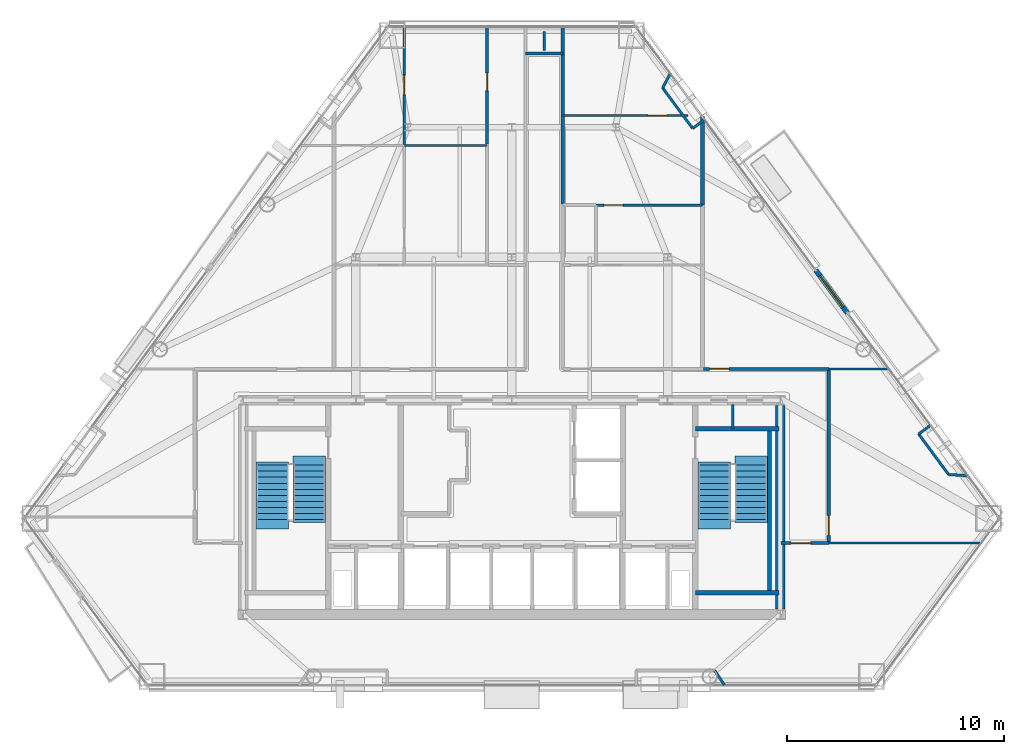
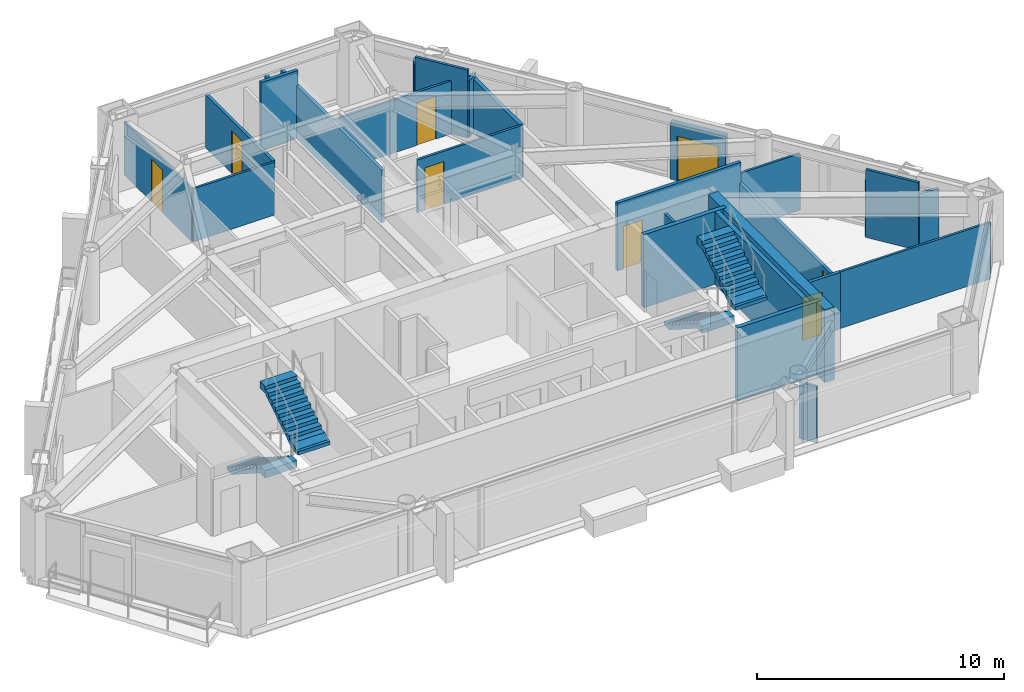
# One storey, part 9 of 11: 27 walls, 8 doors, 4 stair flights, 8 openings, 2 elements without a shape of their own.
"""IFC4 building model written with IfcOpenShell, lengths in metres."""

from ifc_helpers import new_model, si_unit, direction, frame, frame_2d, origin, place, context, subcontext, project, spatial, polyline, rectangle, outline, extrude, material, layer, layer_set, type_object, element, fill, aggregate, save


model = new_model("IFC4")

# Units and contexts
model_context = context("Model", 3, precision=1e-05, world=origin(), true_north=direction((0.0, 1.0)))
body_context = subcontext(model_context, "Body", "Model", "MODEL_VIEW")
ifc_project = project(units=[si_unit("LENGTHUNIT", "METRE"), si_unit("AREAUNIT", "SQUARE_METRE"), si_unit("VOLUMEUNIT", "CUBIC_METRE"), si_unit("PLANEANGLEUNIT", "RADIAN"), si_unit("MASSUNIT", "GRAM", prefix="KILO")], contexts=[model_context])

# Site, building, storey
site_placement = place(None, origin())
site = spatial("IfcSite", under=ifc_project, at=site_placement, CompositionType="ELEMENT")
building_placement = place(site_placement, origin())
building = spatial("IfcBuilding", under=site, at=building_placement, Name="Talgorran Terracotta Tower", CompositionType="ELEMENT")
storey_placement = place(building_placement, frame((0.0, 0.0, 122.10009765625)))
storey = spatial("IfcBuildingStorey", under=building, at=storey_placement, Name="L31", CompositionType="ELEMENT", Elevation=122.10009765625)

# Wall, opening, door
ifc_material_1 = material(Name="Concrete C40/50", Category="concrete")
ifc_layer_1 = layer(ifc_material_1, 0.239990234375, Name="WT_BALCONY_SPAND")
ifc_layer_set_1 = layer_set([ifc_layer_1], Name="Concrete C40/50")
wall_type_1 = type_object("IfcWallType", Name="WT_BALCONY_SPAND", PredefinedType="STANDARD", material=ifc_layer_set_1)
wall_1_placement = place(storey_placement, frame((15.492919921875, -0.166259765625, -0.01513671875), z_axis=(0.0, 0.0, 1.0), x_axis=(-0.594655490218, 0.803980626603, 0.0)))
wall_1 = element("IfcWall", 1, at=wall_1_placement, inside=storey, type_object=wall_type_1, Name="WL-L31-BALP-BAL-NE", PredefinedType="STANDARD", context=body_context, shape_type="SweptSolid", body=[
    extrude(rectangle(XDim=2.43994140625, YDim=0.239990234375, at=frame_2d((1.219970703125, 0.0))), origin(), (0.0, 0.0, 1.0), 2.80712890625),
])
opening_1_placement = place(wall_1_placement, frame((0.320068359375, 0.0, 0.014892578125)))
opening_1 = element("IfcOpeningElement", 2, at=opening_1_placement, cuts=wall_1, Name="Opening D-BAL-L31-1", PredefinedType="OPENING", context=body_context, shape_type="SweptSolid", body=[
    extrude(rectangle(XDim=1.806048828125, YDim=2.203951171875, at=frame_2d((0.89990234375, 1.10205078125))), frame((0.0, 0.1298828125, 0.0), z_axis=(0.0, -1.0, 0.0), x_axis=(1.0, 0.0, 0.0)), (0.0, 0.0, 1.0), 0.260009765625),
])
ifc_material_2 = material(Name="Thermally Broken Aluminium", Category="aluminium")
door_type_1 = type_object("IfcDoorType", Name="DT_BALC_1800", OperationType="SLIDING_TO_LEFT", PredefinedType="DOOR", material=ifc_material_2)
door_1_placement = place(opening_1_placement, origin())
door_1 = element("IfcDoor", 3, at=door_1_placement, inside=storey, type_object=door_type_1, Name="DR-L31-BAL-BAL-NE", OperationType="SLIDING_TO_LEFT", OverallHeight=2.199951171875, OverallWidth=1.800048828125, PredefinedType="DOOR", context=body_context, shape_type="SweptSolid", body=[
    extrude(rectangle(XDim=1.800048828125, YDim=2.199951171875, at=frame_2d((0.89990234375, 1.10009765625))), frame((0.0, 0.02490234375, 0.0), z_axis=(0.0, -1.0, 0.0), x_axis=(1.0, 0.0, 0.0)), (0.0, 0.0, 1.0), 0.050048828125),
])
fill(opening_1, door_1)

# Walls
ifc_material_3 = material(Name="Concrete C50/60", Category="concrete")
ifc_layer_2 = layer(ifc_material_3, 0.199951171875, Name="WT_CORE_200")
ifc_layer_set_2 = layer_set([ifc_layer_2], Name="Concrete C50/60")
wall_type_2 = type_object("IfcWallType", Name="WT_CORE_200", PredefinedType="SOLIDWALL", material=ifc_layer_set_2)
for number, where, z_axis, x_axis, name in (
    (4, (8.47998046875, -5.52001953125, 0.0), (0.0, 0.0, 1.0), (1.0, 0.0, 0.0), "WL-L31-CW-ST2-N"),
    (5, (8.47998046875, -13.10009765625, 0.0), (0.0, 0.0, 1.0), (1.0, 0.0, 0.0), "WL-L31-CW-ST2-S"),
):
    element("IfcWall", number, at=place(storey_placement, frame(where, z_axis=z_axis, x_axis=x_axis)), inside=storey, type_object=wall_type_2, Name=name, PredefinedType="SOLIDWALL", context=body_context, shape_type="SweptSolid", body=[
        extrude(rectangle(XDim=3.8701171875, YDim=0.199951171875, at=frame_2d((1.93505859375, 0.0))), origin(), (0.0, 0.0, 1.0), 3.599853515625),
    ])
wall_2_placement = place(storey_placement, frame((11.89990234375, -13.10009765625, 0.0), z_axis=(0.0, 0.0, 1.0), x_axis=(0.0, 1.0, 0.0)))
element("IfcWall", 6, at=wall_2_placement, inside=storey, type_object=wall_type_2, Name="WL-L31-CW-ST2-E", PredefinedType="SOLIDWALL", context=body_context, shape_type="SweptSolid", body=[
    extrude(rectangle(XDim=7.580078125, YDim=0.199951171875, at=frame_2d((3.7900390625, 0.0))), origin(), (0.0, 0.0, 1.0), 3.599853515625),
])
ifc_material_4 = material(Name="Concrete C65/80", Category="concrete")
ifc_layer_3 = layer(ifc_material_4, 0.449951171875, Name="WT_CORE_EXT")
ifc_layer_set_3 = layer_set([ifc_layer_3], Name="Concrete C65/80")
wall_type_3 = type_object("IfcWallType", Name="WT_CORE_EXT", PredefinedType="SHEAR", material=ifc_layer_set_3)
wall_3_placement = place(storey_placement, frame((12.39990234375, -13.85009765625, 0.0), z_axis=(0.0, 0.0, 1.0), x_axis=(0.0, 1.0, 0.0)))
element("IfcWall", 7, at=wall_3_placement, inside=storey, type_object=wall_type_3, Name="WL-L31-CW-OUT-E", PredefinedType="SHEAR", context=body_context, shape_type="SweptSolid", body=[
    extrude(rectangle(XDim=9.400146484375, YDim=0.449951171875, at=frame_2d((4.7001953125, 0.0))), origin(), (0.0, 0.0, 1.0), 3.599853515625),
])

# Wall, opening, door
ifc_material_5 = material(Name="Fire-Rated Steel Stud Plasterboard", Category="steel")
ifc_layer_4 = layer(ifc_material_5, 0.14990234375, Name="WT_FIRE_150")
ifc_layer_set_4 = layer_set([ifc_layer_4], Name="Fire-Rated Steel Stud Plasterboard")
wall_type_4 = type_object("IfcWallType", Name="WT_FIRE_150", PredefinedType="PARTITIONING", material=ifc_layer_set_4)
wall_4_placement = place(storey_placement, frame((14.639892578125, -10.800048828125, 0.0), z_axis=(0.0, 0.0, 1.0), x_axis=(0.0, 1.0, 0.0)))
wall_4 = element("IfcWall", 8, at=wall_4_placement, inside=storey, type_object=wall_type_4, Name="WL-L31-W-L31-R04", PredefinedType="PARTITIONING", context=body_context, shape_type="SweptSolid", body=[
    extrude(rectangle(XDim=8.0400390625, YDim=0.14990234375, at=frame_2d((4.02001953125, 0.0))), origin(), (0.0, 0.0, 1.0), 2.324951171875),
])
opening_2_placement = place(wall_4_placement, frame((0.359375, 0.0, 0.0)))
opening_2 = element("IfcOpeningElement", 9, at=opening_2_placement, cuts=wall_4, Name="Opening DR-L31-R03", PredefinedType="OPENING", context=body_context, shape_type="SweptSolid", body=[
    extrude(rectangle(XDim=0.90590234375, YDim=2.10409765625, at=frame_2d((0.449951171875, 1.052001953125))), frame((0.0, 0.0849609375, 0.0), z_axis=(0.0, -1.0, 0.0), x_axis=(1.0, 0.0, 0.0)), (0.0, 0.0, 1.0), 0.169921875),
])
ifc_material_6 = material(Name="Fire-Rated Timber Core", Category="wood")
door_type_2 = type_object("IfcDoorType", Name="DT_FIRE_900", OperationType="NOTDEFINED", PredefinedType="DOOR", material=ifc_material_6)
door_2_placement = place(opening_2_placement, origin())
door_2 = element("IfcDoor", 10, at=door_2_placement, inside=storey, type_object=door_type_2, Name="DR-L31-R03", OperationType="SINGLE_SWING_LEFT", OverallHeight=2.10009765625, OverallWidth=0.89990234375, PredefinedType="DOOR", context=body_context, shape_type="SweptSolid", body=[
    extrude(rectangle(XDim=0.89990234375, YDim=2.10009765625, at=frame_2d((0.449951171875, 1.050048828125))), frame((0.0, 0.02490234375, 0.0), z_axis=(0.0, -1.0, 0.0), x_axis=(1.0, 0.0, 0.0)), (0.0, 0.0, 1.0), 0.050048828125),
])
fill(opening_2, door_2)

wall_5_placement = place(storey_placement, frame((8.862060546875, -2.760009765625, 0.0), z_axis=(0.0, 0.0, 1.0), x_axis=(1.0, 0.0, 0.0)))
wall_5 = element("IfcWall", 11, at=wall_5_placement, inside=storey, type_object=wall_type_4, Name="WL-L31-W-L31-R17", PredefinedType="PARTITIONING", context=body_context, shape_type="SweptSolid", body=[
    extrude(rectangle(XDim=5.77783203125, YDim=0.14990234375, at=frame_2d((2.888916015625, 0.0))), origin(), (0.0, 0.0, 1.0), 3.349853515625),
])
opening_3_placement = place(wall_5_placement, frame((0.278076171875, 0.0, 0.0)))
opening_3 = element("IfcOpeningElement", 12, at=opening_3_placement, cuts=wall_5, Name="Opening DR-L31-R17", PredefinedType="OPENING", context=body_context, shape_type="SweptSolid", body=[
    extrude(rectangle(XDim=0.90590234375, YDim=2.10409765625, at=frame_2d((0.449951171875, 1.052001953125))), frame((0.0, 0.0849609375, 0.0), z_axis=(0.0, -1.0, 0.0), x_axis=(1.0, 0.0, 0.0)), (0.0, 0.0, 1.0), 0.169921875),
])
door_3_placement = place(opening_3_placement, origin())
door_3 = element("IfcDoor", 13, at=door_3_placement, inside=storey, type_object=door_type_2, Name="DR-L31-R17", OperationType="SINGLE_SWING_LEFT", OverallHeight=2.10009765625, OverallWidth=0.89990234375, PredefinedType="DOOR", context=body_context, shape_type="SweptSolid", body=[
    extrude(rectangle(XDim=0.89990234375, YDim=2.10009765625, at=frame_2d((0.449951171875, 1.050048828125))), frame((0.0, 0.02490234375, 0.0), z_axis=(0.0, -1.0, 0.0), x_axis=(1.0, 0.0, 0.0)), (0.0, 0.0, 1.0), 0.050048828125),
])
fill(opening_3, door_3)

# Wall
wall_6_placement = place(storey_placement, frame((2.360107421875, 4.862060546875, 0.0), z_axis=(0.0, 0.0, 1.0), x_axis=(0.0, 1.0, 0.0)))
element("IfcWall", 14, at=wall_6_placement, inside=storey, type_object=wall_type_4, Name="WL-L31-W-L31-R14", PredefinedType="PARTITIONING", context=body_context, shape_type="SweptSolid", body=[
    extrude(rectangle(XDim=8.179931640625, YDim=0.14990234375, at=frame_2d((4.08984375, 0.0))), origin(), (0.0, 0.0, 1.0), 2.616943359375),
])

# Wall, opening, door
wall_7_placement = place(storey_placement, frame((12.43994140625, -10.800048828125, 0.0), z_axis=(0.0, 0.0, 1.0), x_axis=(1.0, 0.0, 0.0)))
wall_7 = element("IfcWall", 15, at=wall_7_placement, inside=storey, type_object=wall_type_4, Name="WL-L31-W-L31-R05", PredefinedType="PARTITIONING", context=body_context, shape_type="SweptSolid", body=[
    extrude(rectangle(XDim=2.199951171875, YDim=0.14990234375, at=frame_2d((1.10009765625, 0.0))), origin(), (0.0, 0.0, 1.0), 2.7919921875),
])
opening_4_placement = place(wall_7_placement, frame((0.456298828125, 0.0, 0.0)))
opening_4 = element("IfcOpeningElement", 16, at=opening_4_placement, cuts=wall_7, Name="Opening DR-L31-R04", PredefinedType="OPENING", context=body_context, shape_type="SweptSolid", body=[
    extrude(rectangle(XDim=0.90590234375, YDim=2.10409765625, at=frame_2d((0.449951171875, 1.052001953125))), frame((0.0, 0.0849609375, 0.0), z_axis=(0.0, -1.0, 0.0), x_axis=(1.0, 0.0, 0.0)), (0.0, 0.0, 1.0), 0.169921875),
])
door_4_placement = place(opening_4_placement, origin())
door_4 = element("IfcDoor", 17, at=door_4_placement, inside=storey, type_object=door_type_2, Name="DR-L31-R04", OperationType="SINGLE_SWING_RIGHT", OverallHeight=2.10009765625, OverallWidth=0.89990234375, PredefinedType="DOOR", context=body_context, shape_type="SweptSolid", body=[
    extrude(rectangle(XDim=0.89990234375, YDim=2.10009765625, at=frame_2d((0.449951171875, 1.050048828125))), frame((0.0, 0.02490234375, 0.0), z_axis=(0.0, -1.0, 0.0), x_axis=(1.0, 0.0, 0.0)), (0.0, 0.0, 1.0), 0.050048828125),
])
fill(opening_4, door_4)

# Walls
wall_8_placement = place(storey_placement, frame((0.639892578125, 11.800048828125, 0.0), z_axis=(0.0, 0.0, 1.0), x_axis=(1.0, 0.0, 0.0)))
element("IfcWall", 18, at=wall_8_placement, inside=storey, type_object=wall_type_4, Name="WL-L31-W-L31-R10", PredefinedType="PARTITIONING", context=body_context, shape_type="SweptSolid", body=[
    extrude(rectangle(XDim=1.72021484375, YDim=0.14990234375, at=frame_2d((0.860107421875, 0.0))), origin(), (0.0, 0.0, 1.0), 3.349853515625),
])
ifc_material_7 = material(Name="Acoustic Stud and Plasterboard")
ifc_layer_5 = layer(ifc_material_7, 0.179931640625, Name="WT_PARTY_200")
ifc_layer_set_5 = layer_set([ifc_layer_5], Name="Acoustic Stud and Plasterboard")
wall_type_5 = type_object("IfcWallType", Name="WT_PARTY_200", PredefinedType="PARTITIONING", material=ifc_layer_set_5)
wall_9_placement = place(storey_placement, frame((8.800048828125, 4.800048828125, 0.0), z_axis=(0.0, 0.0, 1.0), x_axis=(0.0, 1.0, 0.0)))
element("IfcWall", 19, at=wall_9_placement, inside=storey, type_object=wall_type_5, Name="WL-L31-W-L31-R42", PredefinedType="PARTITIONING", context=body_context, shape_type="SweptSolid", body=[
    extrude(rectangle(XDim=4.099853515625, YDim=0.179931640625, at=frame_2d((2.0498046875, 0.0))), origin(), (0.0, 0.0, 1.0), 2.616943359375),
])
ifc_material_8 = material(Name="Lightweight Steel Stud Partition", Category="steel")
ifc_layer_6 = layer(ifc_material_8, 0.10498046875, Name="WT_PART_110")
ifc_layer_set_6 = layer_set([ifc_layer_6], Name="Lightweight Steel Stud Partition")
wall_type_6 = type_object("IfcWallType", Name="WT_PART_110", PredefinedType="PARTITIONING", material=ifc_layer_set_6)
wall_10_placement = place(storey_placement, frame((14.639892578125, -10.800048828125, 0.0), z_axis=(0.0, 0.0, 1.0), x_axis=(1.0, 0.0, 0.0)))
element("IfcWall", 20, at=wall_10_placement, inside=storey, type_object=wall_type_6, Name="WL-L31-W-L31-R20", PredefinedType="PARTITIONING", context=body_context, shape_type="SweptSolid", body=[
    extrude(rectangle(XDim=7.034423828125, YDim=0.10498046875, at=frame_2d((3.51708984375, 0.0))), origin(), (0.0, 0.0, 1.0), 2.7919921875),
])

# Wall, opening, door
wall_11_placement = place(storey_placement, frame((2.360107421875, 8.93994140625, 0.0), z_axis=(0.0, 0.0, 1.0), x_axis=(1.0, 0.0, 0.0)))
wall_11 = element("IfcWall", 21, at=wall_11_placement, inside=storey, type_object=wall_type_6, Name="WL-L31-W-L31-R41", PredefinedType="PARTITIONING", context=body_context, shape_type="SweptSolid", body=[
    extrude(rectangle(XDim=5.77978515625, YDim=0.10498046875, at=frame_2d((2.889892578125, 0.0))), origin(), (0.0, 0.0, 1.0), 2.616943359375),
])
opening_5_placement = place(wall_11_placement, frame((3.92578125, 0.0, 0.0)))
opening_5 = element("IfcOpeningElement", 22, at=opening_5_placement, cuts=wall_11, Name="Opening DR-L31-R16", PredefinedType="OPENING", context=body_context, shape_type="SweptSolid", body=[
    extrude(rectangle(XDim=0.8858828125, YDim=2.10409765625, at=frame_2d((0.43994140625, 1.052001953125))), frame((0.0, 0.0625, 0.0), z_axis=(0.0, -1.0, 0.0), x_axis=(1.0, 0.0, 0.0)), (0.0, 0.0, 1.0), 0.125),
])
ifc_material_9 = material(Name="Solid-Core Painted Timber", Category="wood")
door_type_3 = type_object("IfcDoorType", Name="DT_INT_880", OperationType="NOTDEFINED", PredefinedType="DOOR", material=ifc_material_9)
door_5_placement = place(opening_5_placement, origin())
door_5 = element("IfcDoor", 23, at=door_5_placement, inside=storey, type_object=door_type_3, Name="DR-L31-R16", OperationType="SINGLE_SWING_RIGHT", OverallHeight=2.10009765625, OverallWidth=0.8798828125, PredefinedType="DOOR", context=body_context, shape_type="SweptSolid", body=[
    extrude(rectangle(XDim=0.8798828125, YDim=2.10009765625, at=frame_2d((0.43994140625, 1.050048828125))), frame((0.0, 0.02490234375, 0.0), z_axis=(0.0, -1.0, 0.0), x_axis=(1.0, 0.0, 0.0)), (0.0, 0.0, 1.0), 0.050048828125),
])
fill(opening_5, door_5)

wall_12_placement = place(storey_placement, frame((-4.9599609375, 7.56005859375, 0.0), z_axis=(0.0, 0.0, 1.0), x_axis=(0.0, 1.0, 0.0)))
wall_12 = element("IfcWall", 24, at=wall_12_placement, inside=storey, type_object=wall_type_6, Name="WL-L31-W-L31-R33", PredefinedType="PARTITIONING", context=body_context, shape_type="SweptSolid", body=[
    extrude(rectangle(XDim=5.48193359375, YDim=0.10498046875, at=frame_2d((2.740966796875, 0.0))), origin(), (0.0, 0.0, 1.0), 2.616943359375),
])
opening_6_placement = place(wall_12_placement, frame((2.350830078125, 0.0, 0.0)))
opening_6 = element("IfcOpeningElement", 25, at=opening_6_placement, cuts=wall_12, Name="Opening DR-L31-R11", PredefinedType="OPENING", context=body_context, shape_type="SweptSolid", body=[
    extrude(rectangle(XDim=0.8858828125, YDim=2.10409765625, at=frame_2d((0.43994140625, 1.052001953125))), frame((0.0, 0.0625, 0.0), z_axis=(0.0, -1.0, 0.0), x_axis=(1.0, 0.0, 0.0)), (0.0, 0.0, 1.0), 0.125),
])
door_6_placement = place(opening_6_placement, origin())
door_6 = element("IfcDoor", 26, at=door_6_placement, inside=storey, type_object=door_type_3, Name="DR-L31-R11", OperationType="SINGLE_SWING_LEFT", OverallHeight=2.10009765625, OverallWidth=0.8798828125, PredefinedType="DOOR", context=body_context, shape_type="SweptSolid", body=[
    extrude(rectangle(XDim=0.8798828125, YDim=2.10009765625, at=frame_2d((0.43994140625, 1.050048828125))), frame((0.0, 0.02490234375, 0.0), z_axis=(0.0, -1.0, 0.0), x_axis=(1.0, 0.0, 0.0)), (0.0, 0.0, 1.0), 0.050048828125),
])
fill(opening_6, door_6)

wall_13_placement = place(storey_placement, frame((3.89990234375, 4.800048828125, 0.0), z_axis=(0.0, 0.0, 1.0), x_axis=(1.0, 0.0, 0.0)))
wall_13 = element("IfcWall", 27, at=wall_13_placement, inside=storey, type_object=wall_type_6, Name="WL-L31-W-L31-R39", PredefinedType="PARTITIONING", context=body_context, shape_type="SweptSolid", body=[
    extrude(rectangle(XDim=4.900146484375, YDim=0.10498046875, at=frame_2d((2.4501953125, 0.0))), origin(), (0.0, 0.0, 1.0), 2.616943359375),
])
opening_7_placement = place(wall_13_placement, frame((0.358642578125, 0.0, 0.0)))
opening_7 = element("IfcOpeningElement", 28, at=opening_7_placement, cuts=wall_13, Name="Opening DR-L31-R15", PredefinedType="OPENING", context=body_context, shape_type="SweptSolid", body=[
    extrude(rectangle(XDim=0.8858828125, YDim=2.10409765625, at=frame_2d((0.43994140625, 1.052001953125))), frame((0.0, 0.0625, 0.0), z_axis=(0.0, -1.0, 0.0), x_axis=(1.0, 0.0, 0.0)), (0.0, 0.0, 1.0), 0.125),
])
door_7_placement = place(opening_7_placement, origin())
door_7 = element("IfcDoor", 29, at=door_7_placement, inside=storey, type_object=door_type_3, Name="DR-L31-R15", OperationType="SINGLE_SWING_LEFT", OverallHeight=2.10009765625, OverallWidth=0.8798828125, PredefinedType="DOOR", context=body_context, shape_type="SweptSolid", body=[
    extrude(rectangle(XDim=0.8798828125, YDim=2.10009765625, at=frame_2d((0.43994140625, 1.050048828125))), frame((0.0, 0.02490234375, 0.0), z_axis=(0.0, -1.0, 0.0), x_axis=(1.0, 0.0, 0.0)), (0.0, 0.0, 1.0), 0.050048828125),
])
fill(opening_7, door_7)

# Walls
wall_14_placement = place(storey_placement, frame((-4.9599609375, 7.56005859375, 0.0), z_axis=(0.0, 0.0, 1.0), x_axis=(1.0, 0.0, 0.0)))
element("IfcWall", 30, at=wall_14_placement, inside=storey, type_object=wall_type_6, Name="WL-L31-W-L31-R32", PredefinedType="PARTITIONING", context=body_context, shape_type="SweptSolid", body=[
    extrude(rectangle(XDim=3.820068359375, YDim=0.10498046875, at=frame_2d((1.91015625, 0.0))), origin(), (0.0, 0.0, 1.0), 2.616943359375),
])
wall_15_placement = place(storey_placement, frame((14.639892578125, -2.760009765625, 0.0), z_axis=(0.0, 0.0, 1.0), x_axis=(1.0, 0.0, 0.0)))
element("IfcWall", 31, at=wall_15_placement, inside=storey, type_object=wall_type_6, Name="WL-L31-W-L31-R21", PredefinedType="PARTITIONING", context=body_context, shape_type="SweptSolid", body=[
    extrude(rectangle(XDim=2.771484375, YDim=0.10498046875, at=frame_2d((1.3857421875, 0.0))), origin(), (0.0, 0.0, 1.0), 2.7919921875),
])
ifc_material_10 = material(Name="Insulated Steel Stud Plasterboard", Category="steel")
ifc_layer_7 = layer(ifc_material_10, 0.1201171875, Name="WT_PART_120")
ifc_layer_set_7 = layer_set([ifc_layer_7], Name="Insulated Steel Stud Plasterboard")
wall_type_7 = type_object("IfcWallType", Name="WT_PART_120", PredefinedType="PARTITIONING", material=ifc_layer_set_7)
wall_16_placement = place(storey_placement, frame((10.199951171875, -5.52001953125, 0.0), z_axis=(0.0, 0.0, 1.0), x_axis=(0.0, 1.0, 0.0)))
element("IfcWall", 32, at=wall_16_placement, inside=storey, type_object=wall_type_7, Name="WL-L31-CW-CSE-DIV", PredefinedType="PARTITIONING", context=body_context, shape_type="SweptSolid", body=[
    extrude(rectangle(XDim=1.1201171875, YDim=0.1201171875, at=frame_2d((0.56005859375, 0.0))), origin(), (0.0, 0.0, 1.0), 3.349853515625),
])
wall_17_placement = place(storey_placement, frame((8.3525390625, 8.344482421875, 0.0), z_axis=(0.0, 0.0, 1.0), x_axis=(-0.594589014846, 0.804029790135, 0.0)))
element("IfcWall", 33, at=wall_17_placement, inside=storey, type_object=wall_type_7, Name="WL-L31-BW-L31-18", PredefinedType="PARTITIONING", context=body_context, shape_type="SweptSolid", body=[
    extrude(rectangle(XDim=2.3232421875, YDim=0.1201171875, at=frame_2d((1.16162109375, 0.0))), origin(), (0.0, 0.0, 1.0), 3.349853515625),
])
wall_18_placement = place(storey_placement, frame((20.169921875, -7.63330078125, 0.0), z_axis=(0.0, 0.0, 1.0), x_axis=(-0.59468950564, 0.803955466355, 0.0)))
element("IfcWall", 34, at=wall_18_placement, inside=storey, type_object=wall_type_7, Name="WL-L31-BW-L31-13", PredefinedType="PARTITIONING", context=body_context, shape_type="SweptSolid", body=[
    extrude(rectangle(XDim=2.32275390625, YDim=0.1201171875, at=frame_2d((1.161376953125, 0.0))), origin(), (0.0, 0.0, 1.0), 3.349853515625),
])
wall_19_placement = place(storey_placement, frame((21.047119140625, -7.692626953125, 0.0), z_axis=(0.0, 0.0, 1.0), x_axis=(-0.997720805556, 0.067477360354, 0.0)))
element("IfcWall", 35, at=wall_19_placement, inside=storey, type_object=wall_type_7, Name="WL-L31-BW-L31-12", PredefinedType="PARTITIONING", context=body_context, shape_type="SweptSolid", body=[
    extrude(rectangle(XDim=0.879150390625, YDim=0.1201171875, at=frame_2d((0.439453125, 0.0))), origin(), (0.0, 0.0, 1.0), 2.7919921875),
])
wall_20_placement = place(storey_placement, frame((9.3759765625, -16.683349609375, 0.0), z_axis=(0.0, 0.0, 1.0), x_axis=(0.550409775631, -0.834894651372, 0.0)))
element("IfcWall", 36, at=wall_20_placement, inside=storey, type_object=wall_type_7, Name="WL-L31-BW-L31-04", PredefinedType="PARTITIONING", context=body_context, shape_type="SweptSolid", body=[
    extrude(rectangle(XDim=0.802490234375, YDim=0.1201171875, at=frame_2d((0.4013671875, 0.0))), origin(), (0.0, 0.0, 1.0), 2.7919921875),
])
wall_21_placement = place(storey_placement, frame((6.97119140625, 10.21240234375, 0.0), z_axis=(0.0, 0.0, 1.0), x_axis=(0.459467400797, 0.888194633853, 0.0)))
element("IfcWall", 37, at=wall_21_placement, inside=storey, type_object=wall_type_7, Name="WL-L31-BW-L31-19", PredefinedType="PARTITIONING", context=body_context, shape_type="SweptSolid", body=[
    extrude(rectangle(XDim=0.74658203125, YDim=0.1201171875, at=frame_2d((0.373291015625, 0.0))), origin(), (0.0, 0.0, 1.0), 2.7919921875),
])
for number, where, z_axis, x_axis, name in (
    (38, (8.89111328125, 8.742919921875, 0.0), (0.0, 0.0, 1.0), (-0.803918563719, -0.594739390748, 0.0), "WL-L31-BW-L31-17"),
    (39, (18.788818359375, -5.765625, 0.0), (0.0, 0.0, 1.0), (0.803918563719, 0.594739390748, 0.0), "WL-L31-BW-L31-11"),
):
    element("IfcWall", number, at=place(storey_placement, frame(where, z_axis=z_axis, x_axis=x_axis)), inside=storey, type_object=wall_type_7, Name=name, PredefinedType="PARTITIONING", context=body_context, shape_type="SweptSolid", body=[
        extrude(rectangle(XDim=0.669921875, YDim=0.1201171875, at=frame_2d((0.3349609375, 0.0))), origin(), (0.0, 0.0, 1.0), 2.7919921875),
    ])

# Wall, opening, door
ifc_material_11 = material(Name="Moisture-Resistant Stud Wall")
ifc_layer_8 = layer(ifc_material_11, 0.135009765625, Name="WT_PART_135")
ifc_layer_set_8 = layer_set([ifc_layer_8], Name="Moisture-Resistant Stud Wall")
wall_type_8 = type_object("IfcWallType", Name="WT_PART_135", PredefinedType="PARTITIONING", material=ifc_layer_set_8)
wall_22_placement = place(storey_placement, frame((-1.139892578125, 7.6220703125, 0.0), z_axis=(0.0, 0.0, 1.0), x_axis=(0.0, 1.0, 0.0)))
wall_22 = element("IfcWall", 40, at=wall_22_placement, inside=storey, type_object=wall_type_8, Name="WL-L31-W-L31-R29", PredefinedType="PARTITIONING", context=body_context, shape_type="SweptSolid", body=[
    extrude(rectangle(XDim=5.419921875, YDim=0.135009765625, at=frame_2d((2.7099609375, 0.0))), origin(), (0.0, 0.0, 1.0), 2.616943359375),
])
opening_8_placement = place(wall_22_placement, frame((2.468017578125, 0.0, 0.0)))
opening_8 = element("IfcOpeningElement", 41, at=opening_8_placement, cuts=wall_22, Name="Opening DR-L31-R07", PredefinedType="OPENING", context=body_context, shape_type="SweptSolid", body=[
    extrude(rectangle(XDim=0.826068359375, YDim=2.10409765625, at=frame_2d((0.41015625, 1.052001953125))), frame((0.0, 0.07763671875, 0.0), z_axis=(0.0, -1.0, 0.0), x_axis=(1.0, 0.0, 0.0)), (0.0, 0.0, 1.0), 0.155029296875),
])
ifc_material_12 = material(Name="Moisture-Resistant Solid Timber", Category="wood")
door_type_4 = type_object("IfcDoorType", Name="DT_INT_820", OperationType="NOTDEFINED", PredefinedType="DOOR", material=ifc_material_12)
door_8_placement = place(opening_8_placement, origin())
door_8 = element("IfcDoor", 42, at=door_8_placement, inside=storey, type_object=door_type_4, Name="DR-L31-R07", OperationType="SINGLE_SWING_LEFT", OverallHeight=2.10009765625, OverallWidth=0.820068359375, PredefinedType="DOOR", context=body_context, shape_type="SweptSolid", body=[
    extrude(rectangle(XDim=0.820068359375, YDim=2.10009765625, at=frame_2d((0.41015625, 1.050048828125))), frame((0.0, 0.02490234375, 0.0), z_axis=(0.0, -1.0, 0.0), x_axis=(1.0, 0.0, 0.0)), (0.0, 0.0, 1.0), 0.050048828125),
])
fill(opening_8, door_8)

# Wall
wall_23_placement = place(storey_placement, frame((1.5, 12.822021484375, 0.0), z_axis=(0.0, 0.0, 1.0), x_axis=(0.0, -1.0, 0.0)))
element("IfcWall", 43, at=wall_23_placement, inside=storey, type_object=wall_type_8, Name="WL-L31-W-L31-R43", PredefinedType="PARTITIONING", context=body_context, shape_type="SweptSolid", body=[
    extrude(rectangle(XDim=0.882080078125, YDim=0.135009765625, at=frame_2d((0.44091796875, 0.0))), origin(), (0.0, 0.0, 1.0), 2.7919921875),
])

# Stair, stair flights
stair_type = type_object("IfcStairType", Name="ST_FIRE_SCISSOR", PredefinedType="HALF_TURN_STAIR", material=ifc_material_1)
stair_1_placement = place(storey_placement, origin())
stair_1 = element("IfcStair", 44, at=stair_1_placement, inside=storey, type_object=stair_type, Name="L31 West Protected Fire Stair ST-01", PredefinedType="HALF_TURN_STAIR")
ifc_layer_9 = layer(ifc_material_1, 0.179931640625, Name="STF_RC_1500")
ifc_layer_set_9 = layer_set([ifc_layer_9], Name="Concrete C40/50")
stair_flight_type = type_object("IfcStairFlightType", Name="STF_RC_1500", PredefinedType="STRAIGHT", material=ifc_layer_set_9)
stair_flight_1_placement = place(storey_placement, frame((-11.050048828125, -7.199951171875, 0.0), z_axis=(0.0, 0.0, 1.0), x_axis=(0.0, -1.0, 0.0)))
stair_flight_1 = element("IfcStairFlight", 45, at=stair_flight_1_placement, type_object=stair_flight_type, Name="ST-01 flight 1", NumberOfRisers=10, NumberOfTreads=9, PredefinedType="STRAIGHT", RiserHeight=0.18, TreadLength=0.28, context=body_context, shape_type="SweptSolid", body=[
    extrude(outline(polyline([(-0.139892578125, 0.0), (-0.139892578125, 0.179931640625), (0.0, 0.179931640625), (0.280029296875, 0.360107421875), (0.56005859375, 0.360107421875), (0.56005859375, 0.5400390625), (0.840087890625, 0.5400390625), (0.840087890625, 0.719970703125), (1.1201171875, 0.719970703125), (1.1201171875, 0.89990234375), (1.39990234375, 0.89990234375), (1.39990234375, 1.080078125), (1.679931640625, 1.080078125), (1.679931640625, 1.260009765625), (1.9599609375, 1.260009765625), (1.9599609375, 1.43994140625), (2.239990234375, 1.43994140625), (2.239990234375, 1.6201171875), (2.52001953125, 1.6201171875), (2.52001953125, 1.800048828125), (2.93994140625, 1.800048828125), (2.93994140625, 1.44189453125), (2.52001953125, 1.44189453125), (0.277099609375, 0.0), (-0.139892578125, 0.0)])), frame((0.0, 0.75, 0.0), z_axis=(0.0, -1.0, 0.0), x_axis=(1.0, 0.0, 0.0)), (0.0, 0.0, 1.0), 1.5),
])
stair_flight_2_placement = place(storey_placement, frame((-9.35009765625, -9.719970703125, 1.7998046875), z_axis=(0.0, 0.0, 1.0), x_axis=(0.0, 1.0, 0.0)))
stair_flight_2 = element("IfcStairFlight", 46, at=stair_flight_2_placement, type_object=stair_flight_type, Name="ST-01 flight 2", NumberOfRisers=10, NumberOfTreads=9, PredefinedType="STRAIGHT", RiserHeight=0.18, TreadLength=0.28, context=body_context, shape_type="SweptSolid", body=[
    extrude(outline(polyline([(-0.139892578125, 0.0), (-0.139892578125, 0.179931640625), (0.0, 0.179931640625), (0.280029296875, 0.360107421875), (0.56005859375, 0.360107421875), (0.56005859375, 0.5400390625), (0.840087890625, 0.5400390625), (0.840087890625, 0.719970703125), (1.1201171875, 0.719970703125), (1.1201171875, 0.89990234375), (1.39990234375, 0.89990234375), (1.39990234375, 1.080078125), (1.679931640625, 1.080078125), (1.679931640625, 1.260009765625), (1.9599609375, 1.260009765625), (1.9599609375, 1.43994140625), (2.239990234375, 1.43994140625), (2.239990234375, 1.6201171875), (2.52001953125, 1.6201171875), (2.52001953125, 1.800048828125), (2.93994140625, 1.800048828125), (2.93994140625, 1.44189453125), (2.52001953125, 1.44189453125), (0.277099609375, 0.0), (-0.139892578125, 0.0)])), frame((0.0, 0.75, 0.0), z_axis=(0.0, -1.0, 0.0), x_axis=(1.0, 0.0, 0.0)), (0.0, 0.0, 1.0), 1.5),
])
aggregate(stair_1, [stair_flight_1, stair_flight_2])

stair_2_placement = place(storey_placement, origin())
stair_2 = element("IfcStair", 47, at=stair_2_placement, inside=storey, type_object=stair_type, Name="L31 East Protected Fire Stair ST-02", PredefinedType="HALF_TURN_STAIR")
stair_flight_3_placement = place(storey_placement, frame((9.35009765625, -7.199951171875, 0.0), z_axis=(0.0, 0.0, 1.0), x_axis=(0.0, -1.0, 0.0)))
stair_flight_3 = element("IfcStairFlight", 48, at=stair_flight_3_placement, type_object=stair_flight_type, Name="ST-02 flight 1", NumberOfRisers=10, NumberOfTreads=9, PredefinedType="STRAIGHT", RiserHeight=0.18, TreadLength=0.28, context=body_context, shape_type="SweptSolid", body=[
    extrude(outline(polyline([(-0.139892578125, 0.0), (-0.139892578125, 0.179931640625), (0.0, 0.179931640625), (0.280029296875, 0.360107421875), (0.56005859375, 0.360107421875), (0.56005859375, 0.5400390625), (0.840087890625, 0.5400390625), (0.840087890625, 0.719970703125), (1.1201171875, 0.719970703125), (1.1201171875, 0.89990234375), (1.39990234375, 0.89990234375), (1.39990234375, 1.080078125), (1.679931640625, 1.080078125), (1.679931640625, 1.260009765625), (1.9599609375, 1.260009765625), (1.9599609375, 1.43994140625), (2.239990234375, 1.43994140625), (2.239990234375, 1.6201171875), (2.52001953125, 1.6201171875), (2.52001953125, 1.800048828125), (2.93994140625, 1.800048828125), (2.93994140625, 1.44189453125), (2.52001953125, 1.44189453125), (0.277099609375, 0.0), (-0.139892578125, 0.0)])), frame((0.0, 0.75, 0.0), z_axis=(0.0, -1.0, 0.0), x_axis=(1.0, 0.0, 0.0)), (0.0, 0.0, 1.0), 1.5),
])
stair_flight_4_placement = place(storey_placement, frame((11.050048828125, -9.719970703125, 1.7998046875), z_axis=(0.0, 0.0, 1.0), x_axis=(0.0, 1.0, 0.0)))
stair_flight_4 = element("IfcStairFlight", 49, at=stair_flight_4_placement, type_object=stair_flight_type, Name="ST-02 flight 2", NumberOfRisers=10, NumberOfTreads=9, PredefinedType="STRAIGHT", RiserHeight=0.18, TreadLength=0.28, context=body_context, shape_type="SweptSolid", body=[
    extrude(outline(polyline([(-0.139892578125, 0.0), (-0.139892578125, 0.179931640625), (0.0, 0.179931640625), (0.280029296875, 0.360107421875), (0.56005859375, 0.360107421875), (0.56005859375, 0.5400390625), (0.840087890625, 0.5400390625), (0.840087890625, 0.719970703125), (1.1201171875, 0.719970703125), (1.1201171875, 0.89990234375), (1.39990234375, 0.89990234375), (1.39990234375, 1.080078125), (1.679931640625, 1.080078125), (1.679931640625, 1.260009765625), (1.9599609375, 1.260009765625), (1.9599609375, 1.43994140625), (2.239990234375, 1.43994140625), (2.239990234375, 1.6201171875), (2.52001953125, 1.6201171875), (2.52001953125, 1.800048828125), (2.93994140625, 1.800048828125), (2.93994140625, 1.44189453125), (2.52001953125, 1.44189453125), (0.277099609375, 0.0), (-0.139892578125, 0.0)])), frame((0.0, 0.75, 0.0), z_axis=(0.0, -1.0, 0.0), x_axis=(1.0, 0.0, 0.0)), (0.0, 0.0, 1.0), 1.5),
])
aggregate(stair_2, [stair_flight_3, stair_flight_4])

save(model, "model.ifc")
